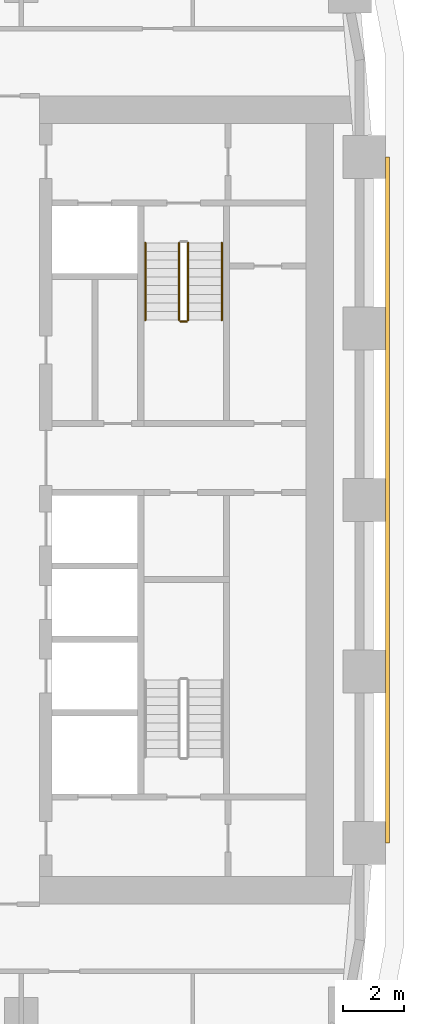
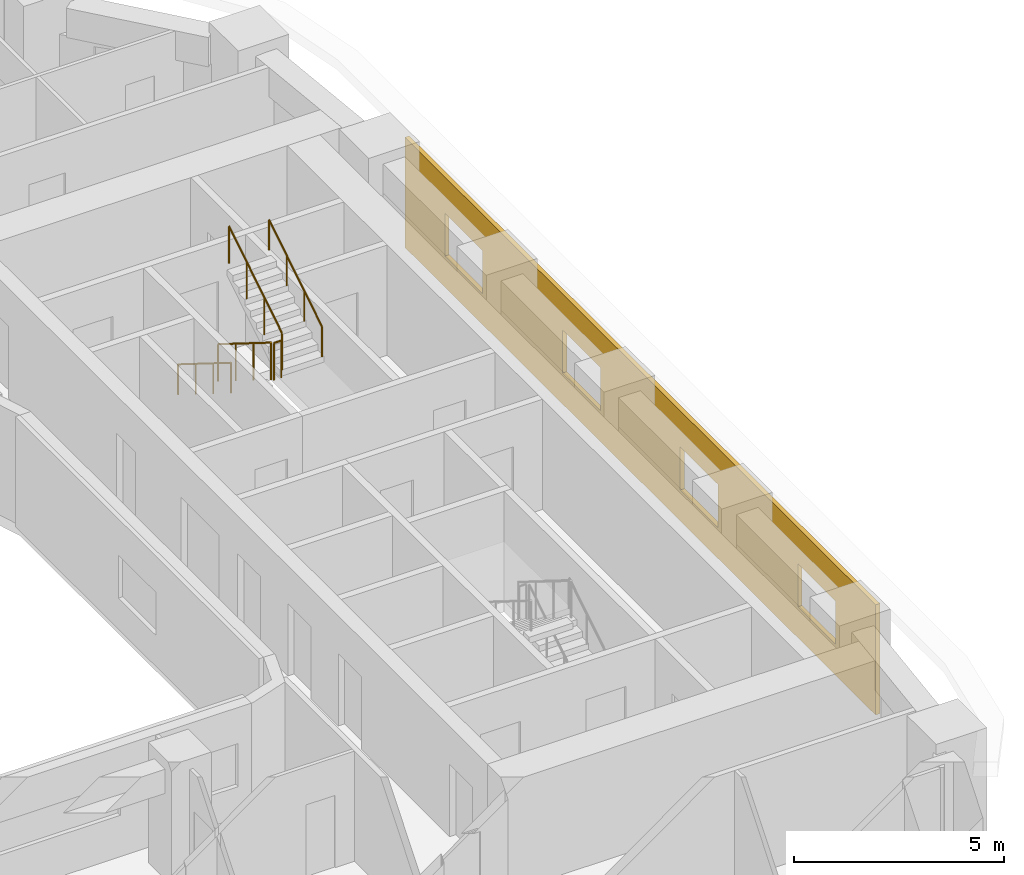
# One storey, part 19 of 22: 5 railings, 1 covering.
"""IFC4 building model written with IfcOpenShell, lengths in metres."""

from ifc_helpers import new_model, si_unit, direction, frame, origin, origin_2d, place, context, subcontext, project, spatial, polyline, circle, outline, extrude, material, layer, layer_set, type_object, element, save


model = new_model("IFC4")

# Units and contexts
model_context = context("Model", 3, precision=1e-05, world=origin(), true_north=direction((0.0, 1.0)))
body_context = subcontext(model_context, "Body", "Model", "MODEL_VIEW")
ifc_project = project(units=[si_unit("LENGTHUNIT", "METRE"), si_unit("AREAUNIT", "SQUARE_METRE"), si_unit("VOLUMEUNIT", "CUBIC_METRE"), si_unit("PLANEANGLEUNIT", "RADIAN"), si_unit("MASSUNIT", "GRAM", prefix="KILO")], contexts=[model_context])

# Site, building, storey
site_placement = place(None, origin())
site = spatial("IfcSite", under=ifc_project, at=site_placement, CompositionType="ELEMENT")
building_placement = place(site_placement, origin())
building = spatial("IfcBuilding", under=site, at=building_placement, Name="Kiln Ring Residences", CompositionType="ELEMENT")
storey_placement = place(building_placement, frame((0.0, 0.0, 65.5)))
storey = spatial("IfcBuildingStorey", under=building, at=storey_placement, Name="L16", CompositionType="ELEMENT", Elevation=65.5)

# Railings
ifc_material_1 = material(Name="Stainless steel", Category="steel")
railing_type_1 = type_object("IfcRailingType", Name="CORE-STAIR-GUARD", PredefinedType="GUARDRAIL", material=ifc_material_1)
railing_1_placement = place(storey_placement, frame((21.949951171875, 8.39990234375, 0.175048828125)))
element("IfcRailing", 1, at=railing_1_placement, inside=storey, type_object=railing_type_1, Name="L16 E-STN stair guard 1", PredefinedType="GUARDRAIL", context=body_context, shape_type="SweptSolid", body=[
    extrude(circle(Radius=0.02392578125, at=origin_2d()), frame((0.0, 0.0, 1.076171875), z_axis=(0.0, -0.848007534815, 0.529984170421), x_axis=(1.0, 0.0, 0.0)), (0.0, 0.0, 1.0), 2.9716796875),
    extrude(circle(Radius=0.02099609375, at=origin_2d()), origin(), (0.0, 0.0, 1.0), 1.052001953125),
    extrude(circle(Radius=0.02099609375, at=origin_2d()), frame((0.0, -0.840087890625, 0.52490234375)), (0.0, 0.0, 1.0), 1.052001953125),
    extrude(circle(Radius=0.02099609375, at=origin_2d()), frame((0.0, -1.679931640625, 1.050048828125)), (0.0, 0.0, 1.0), 1.052001953125),
    extrude(circle(Radius=0.02099609375, at=origin_2d()), frame((0.0, -2.52001953125, 1.574951171875)), (0.0, 0.0, 1.0), 1.052001953125),
])
railing_2_placement = place(storey_placement, frame((22.0, 5.830078125, 1.75)))
element("IfcRailing", 2, at=railing_2_placement, inside=storey, type_object=railing_type_1, Name="L16 E-STN stair guard 2", PredefinedType="GUARDRAIL", context=body_context, shape_type="SweptSolid", body=[
    extrude(circle(Radius=0.02392578125, at=origin_2d()), frame((0.0, 0.0, 1.076171875), z_axis=(1.0, 0.0, 0.0), x_axis=(0.0, 1.0, 0.0)), (0.0, 0.0, 1.0), 0.199951171875),
    extrude(circle(Radius=0.02099609375, at=origin_2d()), origin(), (0.0, 0.0, 1.0), 1.052001953125),
    extrude(circle(Radius=0.02099609375, at=origin_2d()), frame((0.199951171875, 0.0, 0.0)), (0.0, 0.0, 1.0), 1.052001953125),
])
railing_3_placement = place(storey_placement, frame((22.25, 5.8798828125, 1.925048828125)))
element("IfcRailing", 3, at=railing_3_placement, inside=storey, type_object=railing_type_1, Name="L16 E-STN stair guard 3", PredefinedType="GUARDRAIL", context=body_context, shape_type="SweptSolid", body=[
    extrude(circle(Radius=0.02392578125, at=origin_2d()), frame((0.0, 0.0, 1.076171875), z_axis=(0.0, 0.848007534815, 0.529984170421), x_axis=(-1.0, 0.0, 0.0)), (0.0, 0.0, 1.0), 2.9716796875),
    extrude(circle(Radius=0.02099609375, at=origin_2d()), origin(), (0.0, 0.0, 1.0), 1.052001953125),
    extrude(circle(Radius=0.02099609375, at=origin_2d()), frame((0.0, 0.840087890625, 0.52490234375)), (0.0, 0.0, 1.0), 1.052001953125),
    extrude(circle(Radius=0.02099609375, at=origin_2d()), frame((0.0, 1.679931640625, 1.050048828125)), (0.0, 0.0, 1.0), 1.052001953125),
    extrude(circle(Radius=0.02099609375, at=origin_2d()), frame((0.0, 2.52001953125, 1.574951171875)), (0.0, 0.0, 1.0), 1.052001953125),
])
ifc_material_2 = material(Name="Stainless steel", Category="steel")
railing_type_2 = type_object("IfcRailingType", Name="CORE-STAIR-HANDRAIL", PredefinedType="HANDRAIL", material=ifc_material_2)
railing_4_placement = place(storey_placement, frame((20.85009765625, 8.39990234375, 0.175048828125)))
element("IfcRailing", 4, at=railing_4_placement, inside=storey, type_object=railing_type_2, Name="L16 E-STN stair handrail 1", PredefinedType="HANDRAIL", context=body_context, shape_type="SweptSolid", body=[
    extrude(circle(Radius=0.02392578125, at=origin_2d()), frame((0.0, 0.0, 0.8759765625), z_axis=(0.0, -0.848007534815, 0.529984170421), x_axis=(1.0, 0.0, 0.0)), (0.0, 0.0, 1.0), 2.9716796875),
    extrude(circle(Radius=0.02099609375, at=origin_2d()), origin(), (0.0, 0.0, 1.0), 0.851806640625),
    extrude(circle(Radius=0.02099609375, at=origin_2d()), frame((0.0, -0.840087890625, 0.52490234375)), (0.0, 0.0, 1.0), 0.851806640625),
    extrude(circle(Radius=0.02099609375, at=origin_2d()), frame((0.0, -1.679931640625, 1.050048828125)), (0.0, 0.0, 1.0), 0.851806640625),
    extrude(circle(Radius=0.02099609375, at=origin_2d()), frame((0.0, -2.52001953125, 1.574951171875)), (0.0, 0.0, 1.0), 0.851806640625),
])
railing_5_placement = place(storey_placement, frame((23.35009765625, 5.8798828125, 1.925048828125)))
element("IfcRailing", 5, at=railing_5_placement, inside=storey, type_object=railing_type_2, Name="L16 E-STN stair handrail 2", PredefinedType="HANDRAIL", context=body_context, shape_type="SweptSolid", body=[
    extrude(circle(Radius=0.02392578125, at=origin_2d()), frame((0.0, 0.0, 0.8759765625), z_axis=(0.0, 0.848007534815, 0.529984170421), x_axis=(-1.0, 0.0, 0.0)), (0.0, 0.0, 1.0), 2.9716796875),
    extrude(circle(Radius=0.02099609375, at=origin_2d()), origin(), (0.0, 0.0, 1.0), 0.851806640625),
    extrude(circle(Radius=0.02099609375, at=origin_2d()), frame((0.0, 0.840087890625, 0.52490234375)), (0.0, 0.0, 1.0), 0.851806640625),
    extrude(circle(Radius=0.02099609375, at=origin_2d()), frame((0.0, 1.679931640625, 1.050048828125)), (0.0, 0.0, 1.0), 0.851806640625),
    extrude(circle(Radius=0.02099609375, at=origin_2d()), frame((0.0, 2.52001953125, 1.574951171875)), (0.0, 0.0, 1.0), 0.851806640625),
])

# Covering
ifc_material_3 = material(Name="Brick masonry, dark clay brick", Category="masonry")
ifc_layer = layer(ifc_material_3, 0.1201171875)
ifc_layer_set = layer_set([ifc_layer], Name="RAINSCREEN PANEL 120")
covering_type = type_object("IfcCoveringType", Name="RAINSCREEN PANEL 120", PredefinedType="CLADDING", material=ifc_layer_set)
covering_placement = place(storey_placement, frame((28.760009765625, -11.199951171875, 0.0), z_axis=(0.0, 0.0, 1.0), x_axis=(0.0, 1.0, 0.0)))
element("IfcCovering", 6, at=covering_placement, inside=storey, type_object=covering_type, Name="RAINSCREEN L16", PredefinedType="CLADDING", context=body_context, shape_type="SweptSolid", body=[
    extrude(outline(polyline([(0.0, 0.0), (22.39990234375, 0.0), (22.39990234375, 3.199951171875), (0.0, 3.199951171875), (0.0, 0.0)]), holes=[polyline([(3.699951171875, 0.89990234375), (3.699951171875, 2.14990234375), (1.89990234375, 2.14990234375), (1.89990234375, 0.89990234375), (3.699951171875, 0.89990234375)]), polyline([(9.300048828125, 0.89990234375), (9.300048828125, 2.14990234375), (7.5, 2.14990234375), (7.5, 0.89990234375), (9.300048828125, 0.89990234375)]), polyline([(14.89990234375, 0.89990234375), (14.89990234375, 2.14990234375), (13.10009765625, 2.14990234375), (13.10009765625, 0.89990234375), (14.89990234375, 0.89990234375)]), polyline([(20.5, 0.89990234375), (20.5, 2.14990234375), (18.699951171875, 2.14990234375), (18.699951171875, 0.89990234375), (20.5, 0.89990234375)])]), frame((0.0, 0.06005859375, 0.0), z_axis=(0.0, -1.0, 0.0), x_axis=(1.0, 0.0, 0.0)), (0.0, 0.0, 1.0), 0.1201171875),
])

save(model, "model.ifc")
